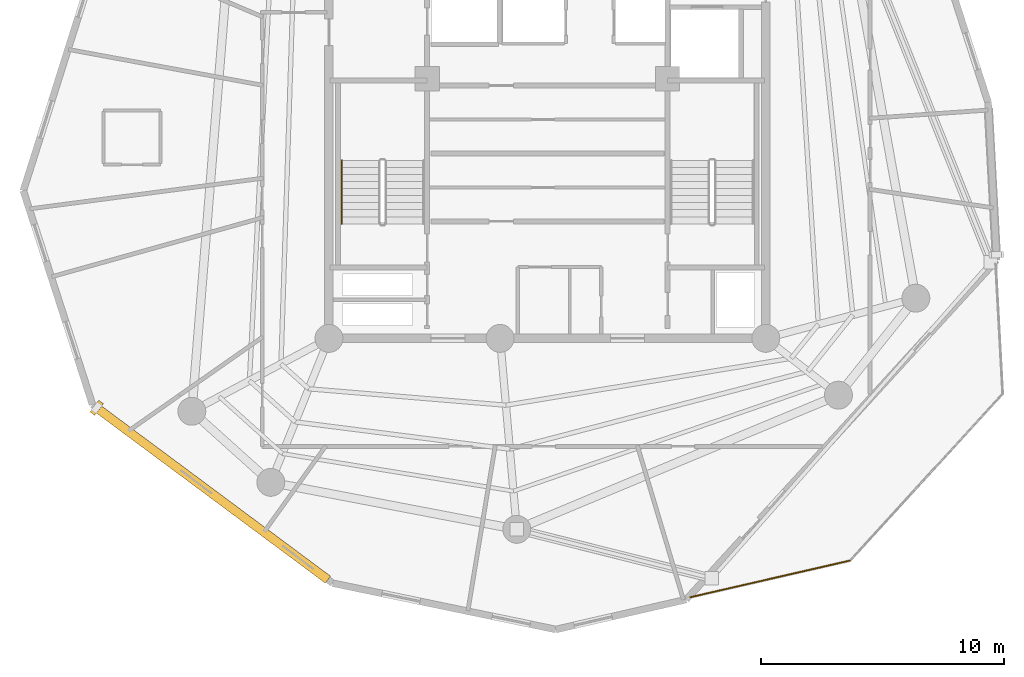
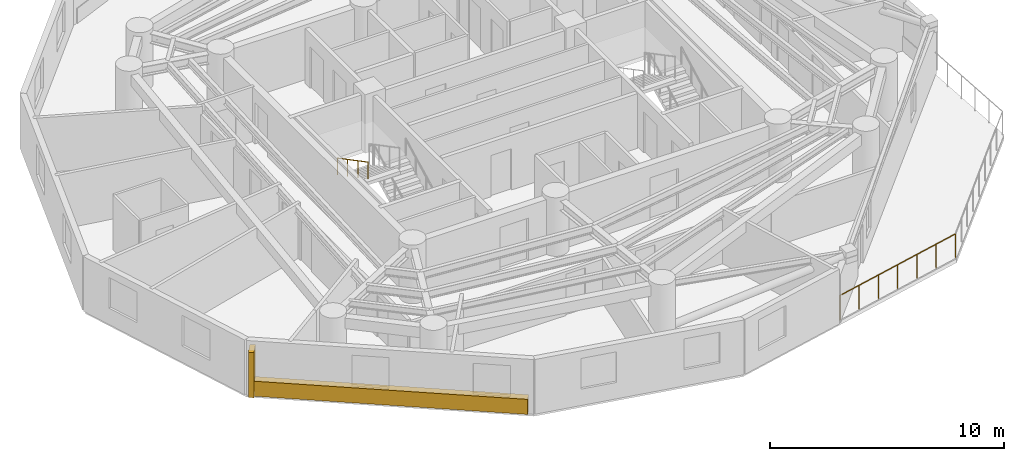
# One storey, part 7 of 9: 2 railings, 1 covering, 1 shading device.
"""IFC4 building model written with IfcOpenShell, lengths in metres."""

from ifc_helpers import new_model, si_unit, direction, frame, origin, origin_with_axes, origin_2d, place, context, subcontext, project, spatial, rectangle, circle, extrude, source, transform, mapped, material, layer, layer_set, type_object, element, save


model = new_model("IFC4")

# Units and contexts
model_context = context("Model", 3, precision=1e-05, world=origin(), true_north=direction((0.0, 1.0)))
body_context = subcontext(model_context, "Body", "Model", "MODEL_VIEW")
ifc_project = project(units=[si_unit("LENGTHUNIT", "METRE"), si_unit("AREAUNIT", "SQUARE_METRE"), si_unit("VOLUMEUNIT", "CUBIC_METRE"), si_unit("PLANEANGLEUNIT", "RADIAN"), si_unit("MASSUNIT", "GRAM", prefix="KILO")], contexts=[model_context])

# Site, building, storey
site_placement = place(None, origin())
site = spatial("IfcSite", under=ifc_project, at=site_placement, CompositionType="ELEMENT")
building_placement = place(site_placement, origin())
building = spatial("IfcBuilding", under=site, at=building_placement, Name="Karkom Vertical University and Central Library", CompositionType="ELEMENT")
storey_placement = place(building_placement, frame((0.0, 0.0, 232.14990234375)))
storey = spatial("IfcBuildingStorey", under=building, at=storey_placement, Name="L68", CompositionType="ELEMENT", Elevation=232.14990234375)

# Railings
ifc_material_1 = material(Name="Architectural painted steel & laminated glass balustrade", Category="steel")
ifc_layer_1 = layer(ifc_material_1, 0.090087890625)
ifc_layer_set_1 = layer_set([ifc_layer_1], Name="Architectural painted steel & laminated glass balustrade")
railing_type_1 = type_object("IfcRailingType", Name="ENV-RL-BAL1300", PredefinedType="BALUSTRADE", material=ifc_layer_set_1)
railing_1_placement = place(storey_placement, frame((40.961669921875, 9.143310546875, 0.0)))
element("IfcRailing", 1, at=railing_1_placement, inside=storey, type_object=railing_type_1, Name="Level 68 Planted Terrace Safety Balustrade 03", PredefinedType="BALUSTRADE", context=body_context, shape_type="SweptSolid", body=[
    extrude(circle(Radius=0.02392578125, at=origin_2d()), frame((0.0, 0.0, 1.27587890625), z_axis=(-0.974631170014, -0.223817073606, 0.0), x_axis=(0.223817073606, -0.974631170014, 0.0)), (0.0, 0.0, 1.0), 6.739990234375),
    extrude(circle(Radius=0.02099609375, at=origin_2d()), origin(), (0.0, 0.0, 1.0), 1.251953125),
    extrude(circle(Radius=0.02099609375, at=origin_2d()), frame((-1.0947265625, -0.25146484375, 0.0)), (0.0, 0.0, 1.0), 1.251953125),
    extrude(circle(Radius=0.02099609375, at=origin_2d()), frame((-2.189697265625, -0.5029296875, 0.0)), (0.0, 0.0, 1.0), 1.251953125),
    extrude(circle(Radius=0.02099609375, at=origin_2d()), frame((-3.28466796875, -0.75439453125, 0.0)), (0.0, 0.0, 1.0), 1.251953125),
    extrude(circle(Radius=0.02099609375, at=origin_2d()), frame((-4.37939453125, -1.005615234375, 0.0)), (0.0, 0.0, 1.0), 1.251953125),
    extrude(circle(Radius=0.02099609375, at=origin_2d()), frame((-5.47412109375, -1.257080078125, 0.0)), (0.0, 0.0, 1.0), 1.251953125),
    extrude(circle(Radius=0.02099609375, at=origin_2d()), frame((-6.569091796875, -1.508544921875, 0.0)), (0.0, 0.0, 1.0), 1.251953125),
])
ifc_material_2 = material(Name="Brushed stainless-steel tubular handrail", Category="steel")
ifc_layer_2 = layer(ifc_material_2, 0.048095703125)
ifc_layer_set_2 = layer_set([ifc_layer_2], Name="Brushed stainless-steel tubular handrail")
railing_type_2 = type_object("IfcRailingType", Name="INT-RL-HAND920", PredefinedType="HANDRAIL", material=ifc_layer_set_2)
railing_2_placement = place(storey_placement, frame((20.030029296875, 25.6298828125, 1.677490234375)))
element("IfcRailing", 2, at=railing_2_placement, inside=storey, type_object=railing_type_2, Name="Level 68 ST-1 stair handrail 2", PredefinedType="HANDRAIL", context=body_context, shape_type="SweptSolid", body=[
    extrude(circle(Radius=0.02392578125, at=origin_2d()), frame((0.0, 0.0, 0.8759765625), z_axis=(0.0, -0.885065446896, 0.46546659892), x_axis=(1.0, 0.0, 0.0)), (0.0, 0.0, 1.0), 2.94873046875),
    extrude(circle(Radius=0.02099609375, at=origin_2d()), origin(), (0.0, 0.0, 1.0), 0.851806640625),
    extrude(circle(Radius=0.02099609375, at=origin_2d()), frame((0.0, -0.869873046875, 0.45751953125)), (0.0, 0.0, 1.0), 0.851806640625),
    extrude(circle(Radius=0.02099609375, at=origin_2d()), frame((0.0, -1.739990234375, 0.9150390625)), (0.0, 0.0, 1.0), 0.851806640625),
    extrude(circle(Radius=0.02099609375, at=origin_2d()), frame((0.0, -2.60986328125, 1.37255859375)), (0.0, 0.0, 1.0), 0.851806640625),
])

# Shading device
ifc_material_3 = material(Name="Terracotta-clad precast concrete sun-breaker fin C45/55", Category="masonry")
shading_device_type = type_object("IfcShadingDeviceType", Name="ENV-SHD-BRISE", PredefinedType="USERDEFINED", material=ifc_material_3)
shared_shape_1 = source(origin_with_axes(), body_context, "Body", "SweptSolid", [
    extrude(rectangle(XDim=0.239990234375, YDim=0.60009765625, at=origin_2d()), origin(), (0.0, 0.0, 1.0), 2.35009765625),
])
shading_device_placement = place(storey_placement, frame((9.92919921875, 15.43798828125, 0.0), z_axis=(0.0, 0.0, 1.0), x_axis=(0.802609304542, -0.596505074801, 0.0)))
element("IfcShadingDevice", 3, at=shading_device_placement, inside=storey, type_object=shading_device_type, Name="Level 68 Brutalist Brise-Soleil Fin 01", ObjectType="BRISE SOLEIL", PredefinedType="USERDEFINED", context=body_context, shape_type="MappedRepresentation", body=[
    mapped(shared_shape_1, transform((0.0, 0.0, 0.0), scale=1.0)),
])

# Covering
ifc_material_4 = material(Name="Hand-pressed red-ochre terracotta brick slip cladding", Category="masonry")
ifc_layer_3 = layer(ifc_material_4, 0.090087890625)
ifc_layer_set_3 = layer_set([ifc_layer_3], Name="Hand-pressed red-ochre terracotta brick slip cladding")
covering_type = type_object("IfcCoveringType", Name="ENV-COV-CLAD", PredefinedType="CLADDING", material=ifc_layer_set_3)
shared_shape_2 = source(origin_with_axes(), body_context, "Body", "SweptSolid", [
    extrude(rectangle(XDim=11.842041015625, YDim=0.360107421875, at=origin_2d()), origin(), (0.0, 0.0, 1.0), 0.780029296875),
])
covering_placement = place(storey_placement, frame((14.705078125, 11.887939453125, 0.0), z_axis=(0.0, 0.0, 1.0), x_axis=(0.802609304542, -0.596505074801, 0.0)))
element("IfcCovering", 4, at=covering_placement, inside=storey, type_object=covering_type, Name="Level 68 Terracotta Spandrel Cladding 01", PredefinedType="CLADDING", context=body_context, shape_type="MappedRepresentation", body=[
    mapped(shared_shape_2, transform((0.0, 0.0, 0.0), scale=1.0)),
])

save(model, "model.ifc")
